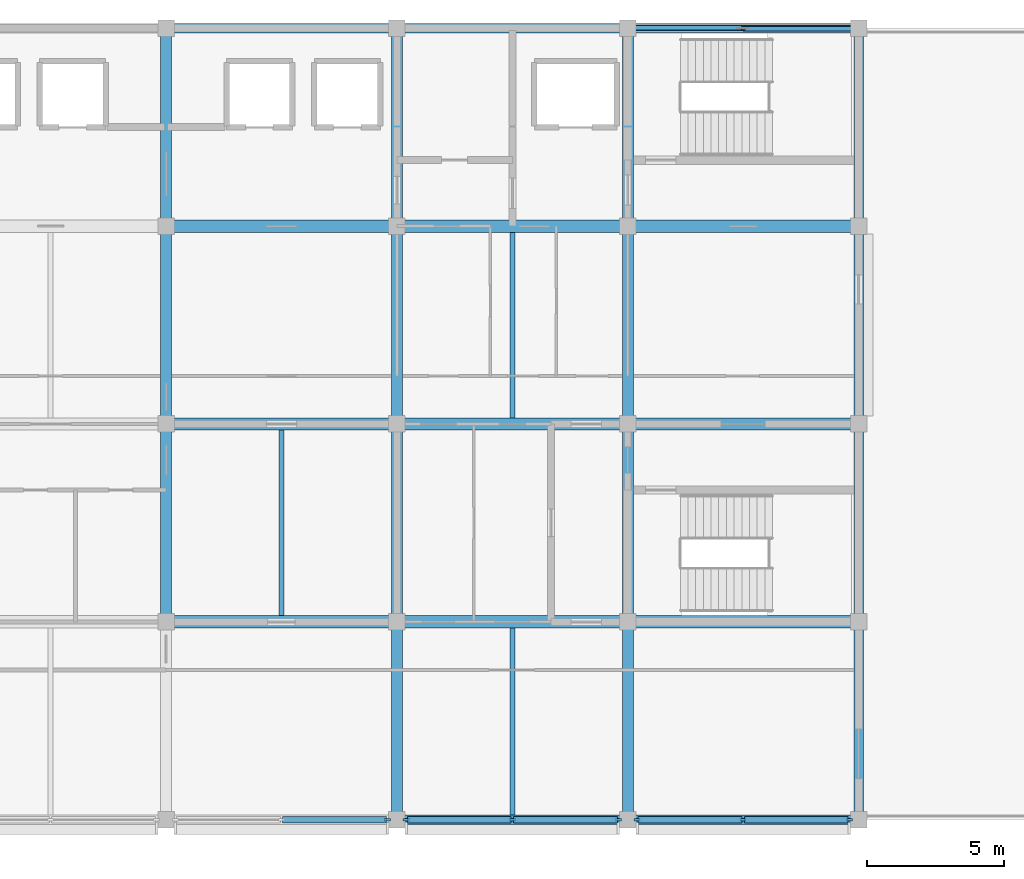
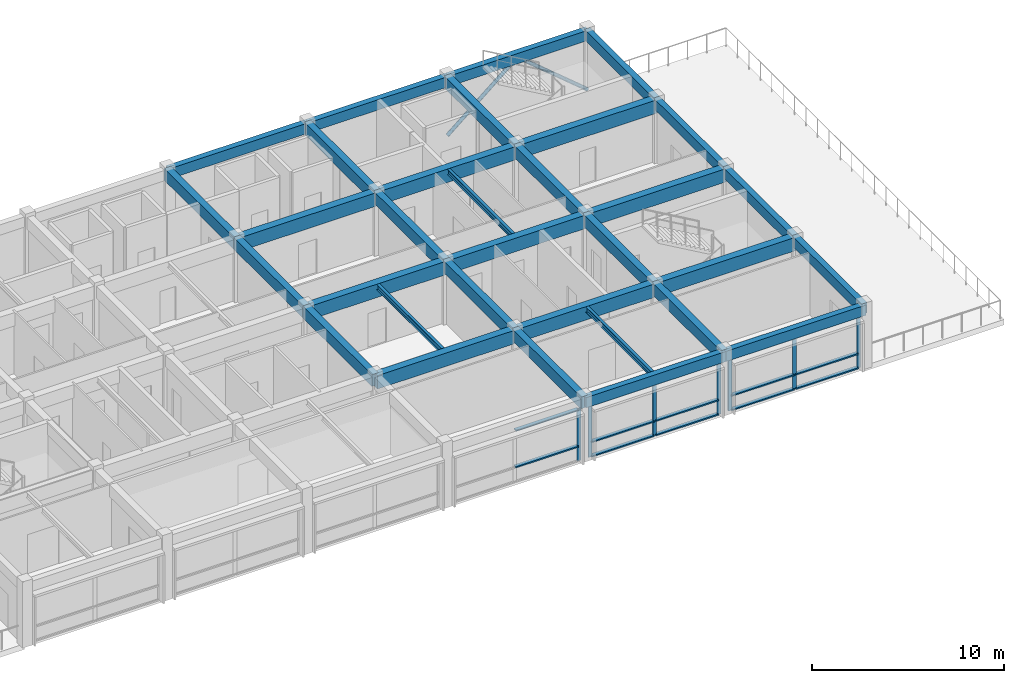
# One storey, part 3 of 13: 32 beams, 23 members, 3 elements without a shape of their own.
"""IFC4 building model written with IfcOpenShell, lengths in metres."""

from ifc_helpers import new_model, si_unit, direction, frame, origin, origin_2d, place, context, subcontext, project, spatial, rectangle, hollow_circle, i_section, extrude, material, layer, layer_set, material_profile, profile_set, type_object, element, aggregate, save


model = new_model("IFC4")

# Units and contexts
model_context = context("Model", 3, precision=1e-05, world=origin(), true_north=direction((0.0, 1.0)))
body_context = subcontext(model_context, "Body", "Model", "MODEL_VIEW")
ifc_project = project(units=[si_unit("LENGTHUNIT", "METRE"), si_unit("AREAUNIT", "SQUARE_METRE"), si_unit("VOLUMEUNIT", "CUBIC_METRE"), si_unit("PLANEANGLEUNIT", "RADIAN"), si_unit("MASSUNIT", "GRAM", prefix="KILO")], contexts=[model_context])

# Site, building, storey
site_placement = place(None, origin())
site = spatial("IfcSite", under=ifc_project, at=site_placement, CompositionType="ELEMENT")
building_placement = place(site_placement, origin())
building = spatial("IfcBuilding", under=site, at=building_placement, Name="Chengyuan Square Courthouse", CompositionType="ELEMENT")
storey_placement = place(building_placement, frame((0.0, 0.0, 60.300048828125)))
storey = spatial("IfcBuildingStorey", under=building, at=storey_placement, Name="L14", CompositionType="ELEMENT", Elevation=60.300048828125)

# Beams
ifc_material_1 = material(Name="Concrete C40", Category="concrete")
ifc_material_profile_1 = material_profile(ifc_material_1, rectangle(XDim=0.449951171875, YDim=0.85009765625, at=origin_2d()), Name="RC-BM-450x850")
ifc_profile_set_1 = profile_set([ifc_material_profile_1], Name="Concrete C40")
beam_type_1 = type_object("IfcBeamType", Name="BM-01", PredefinedType="USERDEFINED", material=ifc_profile_set_1)
beam_1_placement = place(storey_placement, frame((84.0, 86.39990234375, 3.534912109375), z_axis=(1.0, 0.0, 0.0), x_axis=(0.0, 1.0, 0.0)))
element("IfcBeam", 1, at=beam_1_placement, inside=storey, type_object=beam_type_1, Name="Girder BM-L14-4433", ObjectType="GIRDER", PredefinedType="USERDEFINED", context=body_context, shape_type="SweptSolid", body=[
    extrude(rectangle(XDim=0.449951171875, YDim=0.85009765625, at=origin_2d()), origin(), (0.0, 0.0, 1.0), 8.39990234375),
])
beam_2_placement = place(storey_placement, frame((92.39990234375, 86.39990234375, 3.534912109375), z_axis=(1.0, 0.0, 0.0), x_axis=(0.0, 1.0, 0.0)))
element("IfcBeam", 2, at=beam_2_placement, inside=storey, type_object=beam_type_1, Name="Girder BM-L14-4434", ObjectType="GIRDER", PredefinedType="USERDEFINED", context=body_context, shape_type="SweptSolid", body=[
    extrude(rectangle(XDim=0.449951171875, YDim=0.85009765625, at=origin_2d()), origin(), (0.0, 0.0, 1.0), 8.400146484375),
])
for number, where, z_axis, x_axis, name in (
    (3, (100.800048828125, 86.39990234375, 3.534912109375), (1.0, 0.0, 0.0), (0.0, 1.0, 0.0), "Girder BM-L14-4435"),
    (4, (84.0, 93.60009765625, 3.534912109375), (1.0, 0.0, 0.0), (0.0, 1.0, 0.0), "Girder BM-L14-4439"),
):
    element("IfcBeam", number, at=place(storey_placement, frame(where, z_axis=z_axis, x_axis=x_axis)), inside=storey, type_object=beam_type_1, Name=name, ObjectType="GIRDER", PredefinedType="USERDEFINED", context=body_context, shape_type="SweptSolid", body=[
        extrude(rectangle(XDim=0.449951171875, YDim=0.85009765625, at=origin_2d()), origin(), (0.0, 0.0, 1.0), 8.39990234375),
    ])
beam_3_placement = place(storey_placement, frame((92.39990234375, 93.60009765625, 3.534912109375), z_axis=(1.0, 0.0, 0.0), x_axis=(0.0, 1.0, 0.0)))
element("IfcBeam", 5, at=beam_3_placement, inside=storey, type_object=beam_type_1, Name="Girder BM-L14-4440", ObjectType="GIRDER", PredefinedType="USERDEFINED", context=body_context, shape_type="SweptSolid", body=[
    extrude(rectangle(XDim=0.449951171875, YDim=0.85009765625, at=origin_2d()), origin(), (0.0, 0.0, 1.0), 8.400146484375),
])
for number, where, z_axis, x_axis, name in (
    (6, (100.800048828125, 93.60009765625, 3.534912109375), (1.0, 0.0, 0.0), (0.0, 1.0, 0.0), "Girder BM-L14-4441"),
    (7, (84.0, 100.800048828125, 3.534912109375), (1.0, 0.0, 0.0), (0.0, 1.0, 0.0), "Girder BM-L14-4445"),
):
    element("IfcBeam", number, at=place(storey_placement, frame(where, z_axis=z_axis, x_axis=x_axis)), inside=storey, type_object=beam_type_1, Name=name, ObjectType="GIRDER", PredefinedType="USERDEFINED", context=body_context, shape_type="SweptSolid", body=[
        extrude(rectangle(XDim=0.449951171875, YDim=0.85009765625, at=origin_2d()), origin(), (0.0, 0.0, 1.0), 8.39990234375),
    ])
beam_4_placement = place(storey_placement, frame((92.39990234375, 100.800048828125, 3.534912109375), z_axis=(1.0, 0.0, 0.0), x_axis=(0.0, 1.0, 0.0)))
element("IfcBeam", 8, at=beam_4_placement, inside=storey, type_object=beam_type_1, Name="Girder BM-L14-4446", ObjectType="GIRDER", PredefinedType="USERDEFINED", context=body_context, shape_type="SweptSolid", body=[
    extrude(rectangle(XDim=0.449951171875, YDim=0.85009765625, at=origin_2d()), origin(), (0.0, 0.0, 1.0), 8.400146484375),
])
beam_5_placement = place(storey_placement, frame((100.800048828125, 100.800048828125, 3.534912109375), z_axis=(1.0, 0.0, 0.0), x_axis=(0.0, 1.0, 0.0)))
element("IfcBeam", 9, at=beam_5_placement, inside=storey, type_object=beam_type_1, Name="Girder BM-L14-4447", ObjectType="GIRDER", PredefinedType="USERDEFINED", context=body_context, shape_type="SweptSolid", body=[
    extrude(rectangle(XDim=0.449951171875, YDim=0.85009765625, at=origin_2d()), origin(), (0.0, 0.0, 1.0), 8.39990234375),
])
ifc_material_profile_2 = material_profile(ifc_material_1, rectangle(XDim=0.39990234375, YDim=0.75, at=origin_2d()), Name="RC-BM-400x750")
ifc_profile_set_2 = profile_set([ifc_material_profile_2], Name="Concrete C40")
beam_type_2 = type_object("IfcBeamType", Name="BM-02", PredefinedType="USERDEFINED", material=ifc_profile_set_2)
beam_6_placement = place(storey_placement, frame((84.0, 86.39990234375, 3.5849609375), z_axis=(0.0, 1.0, 0.0), x_axis=(-1.0, 0.0, 0.0)))
element("IfcBeam", 10, at=beam_6_placement, inside=storey, type_object=beam_type_2, Name="Girder BM-L14-4467", ObjectType="GIRDER", PredefinedType="USERDEFINED", context=body_context, shape_type="SweptSolid", body=[
    extrude(rectangle(XDim=0.39990234375, YDim=0.75, at=origin_2d()), origin(), (0.0, 0.0, 1.0), 7.2001953125),
])
for number, where, z_axis, x_axis, name in (
    (11, (84.0, 93.60009765625, 3.5849609375), (0.0, 1.0, 0.0), (-1.0, 0.0, 0.0), "Girder BM-L14-4468"),
    (12, (84.0, 100.800048828125, 3.5849609375), (0.0, 1.0, 0.0), (-1.0, 0.0, 0.0), "Girder BM-L14-4469"),
    (13, (92.39990234375, 79.199951171875, 3.5849609375), (0.0, 1.0, 0.0), (-1.0, 0.0, 0.0), "Girder BM-L14-4470"),
):
    element("IfcBeam", number, at=place(storey_placement, frame(where, z_axis=z_axis, x_axis=x_axis)), inside=storey, type_object=beam_type_2, Name=name, ObjectType="GIRDER", PredefinedType="USERDEFINED", context=body_context, shape_type="SweptSolid", body=[
        extrude(rectangle(XDim=0.39990234375, YDim=0.75, at=origin_2d()), origin(), (0.0, 0.0, 1.0), 7.199951171875),
    ])
beam_7_placement = place(storey_placement, frame((92.39990234375, 86.39990234375, 3.5849609375), z_axis=(0.0, 1.0, 0.0), x_axis=(-1.0, 0.0, 0.0)))
element("IfcBeam", 14, at=beam_7_placement, inside=storey, type_object=beam_type_2, Name="Girder BM-L14-4471", ObjectType="GIRDER", PredefinedType="USERDEFINED", context=body_context, shape_type="SweptSolid", body=[
    extrude(rectangle(XDim=0.39990234375, YDim=0.75, at=origin_2d()), origin(), (0.0, 0.0, 1.0), 7.2001953125),
])
for number, where, z_axis, x_axis, name in (
    (15, (92.39990234375, 93.60009765625, 3.5849609375), (0.0, 1.0, 0.0), (-1.0, 0.0, 0.0), "Girder BM-L14-4472"),
    (16, (92.39990234375, 100.800048828125, 3.5849609375), (0.0, 1.0, 0.0), (-1.0, 0.0, 0.0), "Girder BM-L14-4473"),
    (17, (100.800048828125, 79.199951171875, 3.5849609375), (0.0, 1.0, 0.0), (-1.0, 0.0, 0.0), "Girder BM-L14-4474"),
):
    element("IfcBeam", number, at=place(storey_placement, frame(where, z_axis=z_axis, x_axis=x_axis)), inside=storey, type_object=beam_type_2, Name=name, ObjectType="GIRDER", PredefinedType="USERDEFINED", context=body_context, shape_type="SweptSolid", body=[
        extrude(rectangle(XDim=0.39990234375, YDim=0.75, at=origin_2d()), origin(), (0.0, 0.0, 1.0), 7.199951171875),
    ])
beam_8_placement = place(storey_placement, frame((100.800048828125, 86.39990234375, 3.5849609375), z_axis=(0.0, 1.0, 0.0), x_axis=(-1.0, 0.0, 0.0)))
element("IfcBeam", 18, at=beam_8_placement, inside=storey, type_object=beam_type_2, Name="Girder BM-L14-4475", ObjectType="GIRDER", PredefinedType="USERDEFINED", context=body_context, shape_type="SweptSolid", body=[
    extrude(rectangle(XDim=0.39990234375, YDim=0.75, at=origin_2d()), origin(), (0.0, 0.0, 1.0), 7.2001953125),
])
for number, where, z_axis, x_axis, name in (
    (19, (100.800048828125, 93.60009765625, 3.5849609375), (0.0, 1.0, 0.0), (-1.0, 0.0, 0.0), "Girder BM-L14-4476"),
    (20, (100.800048828125, 100.800048828125, 3.5849609375), (0.0, 1.0, 0.0), (-1.0, 0.0, 0.0), "Girder BM-L14-4477"),
):
    element("IfcBeam", number, at=place(storey_placement, frame(where, z_axis=z_axis, x_axis=x_axis)), inside=storey, type_object=beam_type_2, Name=name, ObjectType="GIRDER", PredefinedType="USERDEFINED", context=body_context, shape_type="SweptSolid", body=[
        extrude(rectangle(XDim=0.39990234375, YDim=0.75, at=origin_2d()), origin(), (0.0, 0.0, 1.0), 7.199951171875),
    ])
ifc_material_profile_3 = material_profile(ifc_material_1, rectangle(XDim=0.35009765625, YDim=0.64990234375, at=origin_2d()), Name="RC-BM-350x650")
ifc_profile_set_3 = profile_set([ifc_material_profile_3], Name="Concrete C40")
beam_type_3 = type_object("IfcBeamType", Name="BM-03", PredefinedType="SPANDREL", material=ifc_profile_set_3)
beam_9_placement = place(storey_placement, frame((92.39990234375, 79.199951171875, 3.635009765625), z_axis=(1.0, 0.0, 0.0), x_axis=(0.0, 1.0, 0.0)))
element("IfcBeam", 21, at=beam_9_placement, inside=storey, type_object=beam_type_3, Name="Girder BM-L14-4428", PredefinedType="SPANDREL", context=body_context, shape_type="SweptSolid", body=[
    extrude(rectangle(XDim=0.35009765625, YDim=0.64990234375, at=origin_2d()), origin(), (0.0, 0.0, 1.0), 8.400146484375),
])
for number, where, z_axis, x_axis, name in (
    (22, (100.800048828125, 79.199951171875, 3.635009765625), (1.0, 0.0, 0.0), (0.0, 1.0, 0.0), "Girder BM-L14-4429"),
    (23, (84.0, 108.0, 3.635009765625), (1.0, 0.0, 0.0), (0.0, 1.0, 0.0), "Girder BM-L14-4451"),
):
    element("IfcBeam", number, at=place(storey_placement, frame(where, z_axis=z_axis, x_axis=x_axis)), inside=storey, type_object=beam_type_3, Name=name, PredefinedType="SPANDREL", context=body_context, shape_type="SweptSolid", body=[
        extrude(rectangle(XDim=0.35009765625, YDim=0.64990234375, at=origin_2d()), origin(), (0.0, 0.0, 1.0), 8.39990234375),
    ])
beam_10_placement = place(storey_placement, frame((92.39990234375, 108.0, 3.635009765625), z_axis=(1.0, 0.0, 0.0), x_axis=(0.0, 1.0, 0.0)))
element("IfcBeam", 24, at=beam_10_placement, inside=storey, type_object=beam_type_3, Name="Girder BM-L14-4452", PredefinedType="SPANDREL", context=body_context, shape_type="SweptSolid", body=[
    extrude(rectangle(XDim=0.35009765625, YDim=0.64990234375, at=origin_2d()), origin(), (0.0, 0.0, 1.0), 8.400146484375),
])
beam_11_placement = place(storey_placement, frame((100.800048828125, 108.0, 3.635009765625), z_axis=(1.0, 0.0, 0.0), x_axis=(0.0, 1.0, 0.0)))
element("IfcBeam", 25, at=beam_11_placement, inside=storey, type_object=beam_type_3, Name="Girder BM-L14-4453", PredefinedType="SPANDREL", context=body_context, shape_type="SweptSolid", body=[
    extrude(rectangle(XDim=0.35009765625, YDim=0.64990234375, at=origin_2d()), origin(), (0.0, 0.0, 1.0), 8.39990234375),
])
beam_12_placement = place(storey_placement, frame((109.199951171875, 79.199951171875, 3.635009765625), z_axis=(0.0, 1.0, 0.0), x_axis=(-1.0, 0.0, 0.0)))
element("IfcBeam", 26, at=beam_12_placement, inside=storey, type_object=beam_type_3, Name="Girder BM-L14-4478", PredefinedType="SPANDREL", context=body_context, shape_type="SweptSolid", body=[
    extrude(rectangle(XDim=0.35009765625, YDim=0.64990234375, at=origin_2d()), origin(), (0.0, 0.0, 1.0), 7.199951171875),
])
beam_13_placement = place(storey_placement, frame((109.199951171875, 86.39990234375, 3.635009765625), z_axis=(0.0, 1.0, 0.0), x_axis=(-1.0, 0.0, 0.0)))
element("IfcBeam", 27, at=beam_13_placement, inside=storey, type_object=beam_type_3, Name="Girder BM-L14-4479", PredefinedType="SPANDREL", context=body_context, shape_type="SweptSolid", body=[
    extrude(rectangle(XDim=0.35009765625, YDim=0.64990234375, at=origin_2d()), origin(), (0.0, 0.0, 1.0), 7.2001953125),
])
for number, where, z_axis, x_axis, name in (
    (28, (109.199951171875, 93.60009765625, 3.635009765625), (0.0, 1.0, 0.0), (-1.0, 0.0, 0.0), "Girder BM-L14-4480"),
    (29, (109.199951171875, 100.800048828125, 3.635009765625), (0.0, 1.0, 0.0), (-1.0, 0.0, 0.0), "Girder BM-L14-4481"),
):
    element("IfcBeam", number, at=place(storey_placement, frame(where, z_axis=z_axis, x_axis=x_axis)), inside=storey, type_object=beam_type_3, Name=name, PredefinedType="SPANDREL", context=body_context, shape_type="SweptSolid", body=[
        extrude(rectangle(XDim=0.35009765625, YDim=0.64990234375, at=origin_2d()), origin(), (0.0, 0.0, 1.0), 7.199951171875),
    ])
ifc_material_2 = material(Name="Steel Q355B", Category="steel")
ifc_material_profile_4 = material_profile(ifc_material_2, i_section(OverallWidth=0.175048828125, OverallDepth=0.35009765625, WebThickness=0.007080078125, FlangeThickness=0.010986328125, at=origin_2d()), Name="HN 350x175x7x11")
ifc_profile_set_4 = profile_set([ifc_material_profile_4], Name="Steel Q355B")
beam_type_4 = type_object("IfcBeamType", Name="BM-08", PredefinedType="BEAM", material=ifc_profile_set_4)
beam_14_placement = place(storey_placement, frame((88.199951171875, 86.625, 3.784912109375), z_axis=(0.0, 1.0, 0.0), x_axis=(-1.0, 0.0, 0.0)))
element("IfcBeam", 30, at=beam_14_placement, inside=storey, type_object=beam_type_4, Name="Secondary Floor Beam SBM-L14-4488", PredefinedType="BEAM", context=body_context, shape_type="SweptSolid", body=[
    extrude(i_section(OverallWidth=0.175048828125, OverallDepth=0.35009765625, WebThickness=0.007080078125, FlangeThickness=0.010986328125, at=origin_2d()), origin(), (0.0, 0.0, 1.0), 6.75),
])
beam_15_placement = place(storey_placement, frame((96.60009765625, 79.375, 3.784912109375), z_axis=(0.0, 1.0, 0.0), x_axis=(-1.0, 0.0, 0.0)))
element("IfcBeam", 31, at=beam_15_placement, inside=storey, type_object=beam_type_4, Name="Secondary Floor Beam SBM-L14-4489", PredefinedType="BEAM", context=body_context, shape_type="SweptSolid", body=[
    extrude(i_section(OverallWidth=0.175048828125, OverallDepth=0.35009765625, WebThickness=0.007080078125, FlangeThickness=0.010986328125, at=origin_2d()), origin(), (0.0, 0.0, 1.0), 6.800048828125),
])
beam_16_placement = place(storey_placement, frame((96.60009765625, 93.824951171875, 3.784912109375), z_axis=(0.0, 1.0, 0.0), x_axis=(-1.0, 0.0, 0.0)))
element("IfcBeam", 32, at=beam_16_placement, inside=storey, type_object=beam_type_4, Name="Secondary Floor Beam SBM-L14-4490", PredefinedType="BEAM", context=body_context, shape_type="SweptSolid", body=[
    extrude(i_section(OverallWidth=0.175048828125, OverallDepth=0.35009765625, WebThickness=0.007080078125, FlangeThickness=0.010986328125, at=origin_2d()), origin(), (0.0, 0.0, 1.0), 6.75),
])

# Members
ifc_material_profile_5 = material_profile(ifc_material_2, hollow_circle(Radius=0.109619140625, WallThickness=0.008056640625, at=origin_2d()), Name="CHS 219x8")
ifc_profile_set_5 = profile_set([ifc_material_profile_5], Name="Steel Q355B")
member_type_1 = type_object("IfcMemberType", Name="BR-02", PredefinedType="BRACE", material=ifc_profile_set_5)
for number, where, z_axis, x_axis, name in (
    (33, (100.800048828125, 108.0, 0.099853515625), (0.767317473151, 0.0, 0.641267413329), (0.0, 1.0, 0.0), "Steel Chevron Brace BR-L14-055"),
    (34, (109.199951171875, 108.0, 0.099853515625), (-0.767317473151, 0.0, 0.641267413329), (0.0, -1.0, 0.0), "Steel Chevron Brace BR-L14-056"),
):
    element("IfcMember", number, at=place(storey_placement, frame(where, z_axis=z_axis, x_axis=x_axis)), inside=storey, type_object=member_type_1, Name=name, PredefinedType="BRACE", context=body_context, shape_type="SweptSolid", body=[
        extrude(hollow_circle(Radius=0.109619140625, WallThickness=0.008056640625, at=origin_2d()), origin(), (0.0, 0.0, 1.0), 5.4736328125),
    ])

# Curtain wall, member
ifc_material_3 = material(Name="Unitised Aluminium and Triple Low-E Glass", Category="aluminium")
ifc_layer = layer(ifc_material_3, 0.219970703125)
ifc_layer_set = layer_set([ifc_layer], Name="Unitised Aluminium and Triple Low-E Glass")
curtain_wall_type = type_object("IfcCurtainWallType", Name="CW-16", PredefinedType="USERDEFINED", material=ifc_layer_set)
curtain_wall_1_placement = place(storey_placement, origin())
curtain_wall_1 = element("IfcCurtainWall", 35, at=curtain_wall_1_placement, inside=storey, type_object=curtain_wall_type, Name="Unitised Curtain Wall CW-L14-273", ObjectType="UNITISED CURTAIN WALL", PredefinedType="USERDEFINED")
ifc_material_4 = material(Name="Aluminium 6063-T6 Frame", Category="aluminium")
ifc_material_profile_6 = material_profile(ifc_material_4, rectangle(XDim=0.080078125, YDim=0.219970703125, at=origin_2d()), Name="CW-MUL-80x220")
ifc_profile_set_6 = profile_set([ifc_material_profile_6], Name="Aluminium 6063-T6 Frame")
member_type_2 = type_object("IfcMemberType", Name="CWM-04", PredefinedType="MULLION", material=ifc_profile_set_6)
member_1_placement = place(storey_placement, frame((92.06005859375, 79.199951171875, 0.0), z_axis=(0.0, 0.0, 1.0), x_axis=(0.0, 1.0, 0.0)))
member_1 = element("IfcMember", 36, at=member_1_placement, type_object=member_type_2, Name="CW-16 mullion 3", PredefinedType="MULLION", context=body_context, shape_type="SweptSolid", body=[
    extrude(rectangle(XDim=0.080078125, YDim=0.219970703125, at=origin_2d()), origin(), (0.0, 0.0, 1.0), 3.31005859375),
])

# Curtain wall, members
curtain_wall_2_placement = place(storey_placement, origin())
curtain_wall_2 = element("IfcCurtainWall", 37, at=curtain_wall_2_placement, inside=storey, type_object=curtain_wall_type, Name="Unitised Curtain Wall CW-L14-274", ObjectType="UNITISED CURTAIN WALL", PredefinedType="USERDEFINED")
member_2_placement = place(storey_placement, frame((92.739990234375, 79.199951171875, 0.0), z_axis=(0.0, 0.0, 1.0), x_axis=(0.0, 1.0, 0.0)))
member_2 = element("IfcMember", 38, at=member_2_placement, type_object=member_type_2, Name="CW-16 mullion 1", PredefinedType="MULLION", context=body_context, shape_type="SweptSolid", body=[
    extrude(rectangle(XDim=0.080078125, YDim=0.219970703125, at=origin_2d()), origin(), (0.0, 0.0, 1.0), 3.31005859375),
])
member_3_placement = place(storey_placement, frame((96.60009765625, 79.199951171875, 0.0), z_axis=(0.0, 0.0, 1.0), x_axis=(0.0, 1.0, 0.0)))
member_3 = element("IfcMember", 39, at=member_3_placement, type_object=member_type_2, Name="CW-16 mullion 2", PredefinedType="MULLION", context=body_context, shape_type="SweptSolid", body=[
    extrude(rectangle(XDim=0.080078125, YDim=0.219970703125, at=origin_2d()), origin(), (0.0, 0.0, 1.0), 3.31005859375),
])
member_4_placement = place(storey_placement, frame((100.4599609375, 79.199951171875, 0.0), z_axis=(0.0, 0.0, 1.0), x_axis=(0.0, 1.0, 0.0)))
member_4 = element("IfcMember", 40, at=member_4_placement, type_object=member_type_2, Name="CW-16 mullion 3", PredefinedType="MULLION", context=body_context, shape_type="SweptSolid", body=[
    extrude(rectangle(XDim=0.080078125, YDim=0.219970703125, at=origin_2d()), origin(), (0.0, 0.0, 1.0), 3.31005859375),
])

curtain_wall_3_placement = place(storey_placement, origin())
curtain_wall_3 = element("IfcCurtainWall", 41, at=curtain_wall_3_placement, inside=storey, type_object=curtain_wall_type, Name="Unitised Curtain Wall CW-L14-275", ObjectType="UNITISED CURTAIN WALL", PredefinedType="USERDEFINED")
member_5_placement = place(storey_placement, frame((101.139892578125, 79.199951171875, 0.0), z_axis=(0.0, 0.0, 1.0), x_axis=(0.0, 1.0, 0.0)))
member_5 = element("IfcMember", 42, at=member_5_placement, type_object=member_type_2, Name="CW-16 mullion 1", PredefinedType="MULLION", context=body_context, shape_type="SweptSolid", body=[
    extrude(rectangle(XDim=0.080078125, YDim=0.219970703125, at=origin_2d()), origin(), (0.0, 0.0, 1.0), 3.31005859375),
])
member_6_placement = place(storey_placement, frame((105.0, 79.199951171875, 0.0), z_axis=(0.0, 0.0, 1.0), x_axis=(0.0, 1.0, 0.0)))
member_6 = element("IfcMember", 43, at=member_6_placement, type_object=member_type_2, Name="CW-16 mullion 2", PredefinedType="MULLION", context=body_context, shape_type="SweptSolid", body=[
    extrude(rectangle(XDim=0.080078125, YDim=0.219970703125, at=origin_2d()), origin(), (0.0, 0.0, 1.0), 3.31005859375),
])
member_7_placement = place(storey_placement, frame((108.860107421875, 79.199951171875, 0.0), z_axis=(0.0, 0.0, 1.0), x_axis=(0.0, 1.0, 0.0)))
member_7 = element("IfcMember", 44, at=member_7_placement, type_object=member_type_2, Name="CW-16 mullion 3", PredefinedType="MULLION", context=body_context, shape_type="SweptSolid", body=[
    extrude(rectangle(XDim=0.080078125, YDim=0.219970703125, at=origin_2d()), origin(), (0.0, 0.0, 1.0), 3.31005859375),
])

# Member
ifc_material_profile_7 = material_profile(ifc_material_4, rectangle(XDim=0.219970703125, YDim=0.080078125, at=origin_2d()), Name="CW-TRN-80x180")
ifc_profile_set_7 = profile_set([ifc_material_profile_7], Name="Aluminium 6063-T6 Frame")
member_type_3 = type_object("IfcMemberType", Name="CWT-04", PredefinedType="USERDEFINED", material=ifc_profile_set_7)
member_8_placement = place(storey_placement, frame((88.239990234375, 79.199951171875, 0.949951171875), z_axis=(1.0, 0.0, 0.0), x_axis=(0.0, 1.0, 0.0)))
member_8 = element("IfcMember", 45, at=member_8_placement, type_object=member_type_3, Name="CW-16 transom 2.2", ObjectType="TRANSOM", PredefinedType="USERDEFINED", context=body_context, shape_type="SweptSolid", body=[
    extrude(rectangle(XDim=0.219970703125, YDim=0.080078125, at=origin_2d()), origin(), (0.0, 0.0, 1.0), 3.780029296875),
])

member_9_placement = place(storey_placement, frame((88.239990234375, 79.199951171875, 3.27001953125), z_axis=(1.0, 0.0, 0.0), x_axis=(0.0, 1.0, 0.0)))
member_9 = element("IfcMember", 46, at=member_9_placement, type_object=member_type_3, Name="CW-16 transom 2.3", ObjectType="TRANSOM", PredefinedType="USERDEFINED", context=body_context, shape_type="SweptSolid", body=[
    extrude(rectangle(XDim=0.219970703125, YDim=0.080078125, at=origin_2d()), origin(), (0.0, 0.0, 1.0), 3.780029296875),
])

aggregate(curtain_wall_1, [member_1, member_8, member_9])

member_10_placement = place(storey_placement, frame((92.780029296875, 79.199951171875, 0.0400390625), z_axis=(1.0, 0.0, 0.0), x_axis=(0.0, 1.0, 0.0)))
member_10 = element("IfcMember", 47, at=member_10_placement, type_object=member_type_3, Name="CW-16 transom 1.1", ObjectType="TRANSOM", PredefinedType="USERDEFINED", context=body_context, shape_type="SweptSolid", body=[
    extrude(rectangle(XDim=0.219970703125, YDim=0.080078125, at=origin_2d()), origin(), (0.0, 0.0, 1.0), 3.780029296875),
])

member_11_placement = place(storey_placement, frame((92.780029296875, 79.199951171875, 0.949951171875), z_axis=(1.0, 0.0, 0.0), x_axis=(0.0, 1.0, 0.0)))
member_11 = element("IfcMember", 48, at=member_11_placement, type_object=member_type_3, Name="CW-16 transom 1.2", ObjectType="TRANSOM", PredefinedType="USERDEFINED", context=body_context, shape_type="SweptSolid", body=[
    extrude(rectangle(XDim=0.219970703125, YDim=0.080078125, at=origin_2d()), origin(), (0.0, 0.0, 1.0), 3.780029296875),
])

member_12_placement = place(storey_placement, frame((92.780029296875, 79.199951171875, 3.27001953125), z_axis=(1.0, 0.0, 0.0), x_axis=(0.0, 1.0, 0.0)))
member_12 = element("IfcMember", 49, at=member_12_placement, type_object=member_type_3, Name="CW-16 transom 1.3", ObjectType="TRANSOM", PredefinedType="USERDEFINED", context=body_context, shape_type="SweptSolid", body=[
    extrude(rectangle(XDim=0.219970703125, YDim=0.080078125, at=origin_2d()), origin(), (0.0, 0.0, 1.0), 3.780029296875),
])

member_13_placement = place(storey_placement, frame((96.639892578125, 79.199951171875, 0.0400390625), z_axis=(1.0, 0.0, 0.0), x_axis=(0.0, 1.0, 0.0)))
member_13 = element("IfcMember", 50, at=member_13_placement, type_object=member_type_3, Name="CW-16 transom 2.1", ObjectType="TRANSOM", PredefinedType="USERDEFINED", context=body_context, shape_type="SweptSolid", body=[
    extrude(rectangle(XDim=0.219970703125, YDim=0.080078125, at=origin_2d()), origin(), (0.0, 0.0, 1.0), 3.780029296875),
])

member_14_placement = place(storey_placement, frame((96.639892578125, 79.199951171875, 0.949951171875), z_axis=(1.0, 0.0, 0.0), x_axis=(0.0, 1.0, 0.0)))
member_14 = element("IfcMember", 51, at=member_14_placement, type_object=member_type_3, Name="CW-16 transom 2.2", ObjectType="TRANSOM", PredefinedType="USERDEFINED", context=body_context, shape_type="SweptSolid", body=[
    extrude(rectangle(XDim=0.219970703125, YDim=0.080078125, at=origin_2d()), origin(), (0.0, 0.0, 1.0), 3.780029296875),
])

member_15_placement = place(storey_placement, frame((96.639892578125, 79.199951171875, 3.27001953125), z_axis=(1.0, 0.0, 0.0), x_axis=(0.0, 1.0, 0.0)))
member_15 = element("IfcMember", 52, at=member_15_placement, type_object=member_type_3, Name="CW-16 transom 2.3", ObjectType="TRANSOM", PredefinedType="USERDEFINED", context=body_context, shape_type="SweptSolid", body=[
    extrude(rectangle(XDim=0.219970703125, YDim=0.080078125, at=origin_2d()), origin(), (0.0, 0.0, 1.0), 3.780029296875),
])

aggregate(curtain_wall_2, [member_2, member_3, member_4, member_10, member_11, member_12, member_13, member_14, member_15])

member_16_placement = place(storey_placement, frame((101.179931640625, 79.199951171875, 0.0400390625), z_axis=(1.0, 0.0, 0.0), x_axis=(0.0, 1.0, 0.0)))
member_16 = element("IfcMember", 53, at=member_16_placement, type_object=member_type_3, Name="CW-16 transom 1.1", ObjectType="TRANSOM", PredefinedType="USERDEFINED", context=body_context, shape_type="SweptSolid", body=[
    extrude(rectangle(XDim=0.219970703125, YDim=0.080078125, at=origin_2d()), origin(), (0.0, 0.0, 1.0), 3.780029296875),
])

member_17_placement = place(storey_placement, frame((101.179931640625, 79.199951171875, 0.949951171875), z_axis=(1.0, 0.0, 0.0), x_axis=(0.0, 1.0, 0.0)))
member_17 = element("IfcMember", 54, at=member_17_placement, type_object=member_type_3, Name="CW-16 transom 1.2", ObjectType="TRANSOM", PredefinedType="USERDEFINED", context=body_context, shape_type="SweptSolid", body=[
    extrude(rectangle(XDim=0.219970703125, YDim=0.080078125, at=origin_2d()), origin(), (0.0, 0.0, 1.0), 3.780029296875),
])

member_18_placement = place(storey_placement, frame((101.179931640625, 79.199951171875, 3.27001953125), z_axis=(1.0, 0.0, 0.0), x_axis=(0.0, 1.0, 0.0)))
member_18 = element("IfcMember", 55, at=member_18_placement, type_object=member_type_3, Name="CW-16 transom 1.3", ObjectType="TRANSOM", PredefinedType="USERDEFINED", context=body_context, shape_type="SweptSolid", body=[
    extrude(rectangle(XDim=0.219970703125, YDim=0.080078125, at=origin_2d()), origin(), (0.0, 0.0, 1.0), 3.780029296875),
])

member_19_placement = place(storey_placement, frame((105.0400390625, 79.199951171875, 0.0400390625), z_axis=(1.0, 0.0, 0.0), x_axis=(0.0, 1.0, 0.0)))
member_19 = element("IfcMember", 56, at=member_19_placement, type_object=member_type_3, Name="CW-16 transom 2.1", ObjectType="TRANSOM", PredefinedType="USERDEFINED", context=body_context, shape_type="SweptSolid", body=[
    extrude(rectangle(XDim=0.219970703125, YDim=0.080078125, at=origin_2d()), origin(), (0.0, 0.0, 1.0), 3.780029296875),
])

member_20_placement = place(storey_placement, frame((105.0400390625, 79.199951171875, 0.949951171875), z_axis=(1.0, 0.0, 0.0), x_axis=(0.0, 1.0, 0.0)))
member_20 = element("IfcMember", 57, at=member_20_placement, type_object=member_type_3, Name="CW-16 transom 2.2", ObjectType="TRANSOM", PredefinedType="USERDEFINED", context=body_context, shape_type="SweptSolid", body=[
    extrude(rectangle(XDim=0.219970703125, YDim=0.080078125, at=origin_2d()), origin(), (0.0, 0.0, 1.0), 3.780029296875),
])

member_21_placement = place(storey_placement, frame((105.0400390625, 79.199951171875, 3.27001953125), z_axis=(1.0, 0.0, 0.0), x_axis=(0.0, 1.0, 0.0)))
member_21 = element("IfcMember", 58, at=member_21_placement, type_object=member_type_3, Name="CW-16 transom 2.3", ObjectType="TRANSOM", PredefinedType="USERDEFINED", context=body_context, shape_type="SweptSolid", body=[
    extrude(rectangle(XDim=0.219970703125, YDim=0.080078125, at=origin_2d()), origin(), (0.0, 0.0, 1.0), 3.780029296875),
])

aggregate(curtain_wall_3, [member_5, member_6, member_7, member_16, member_17, member_18, member_19, member_20, member_21])

save(model, "model.ifc")
